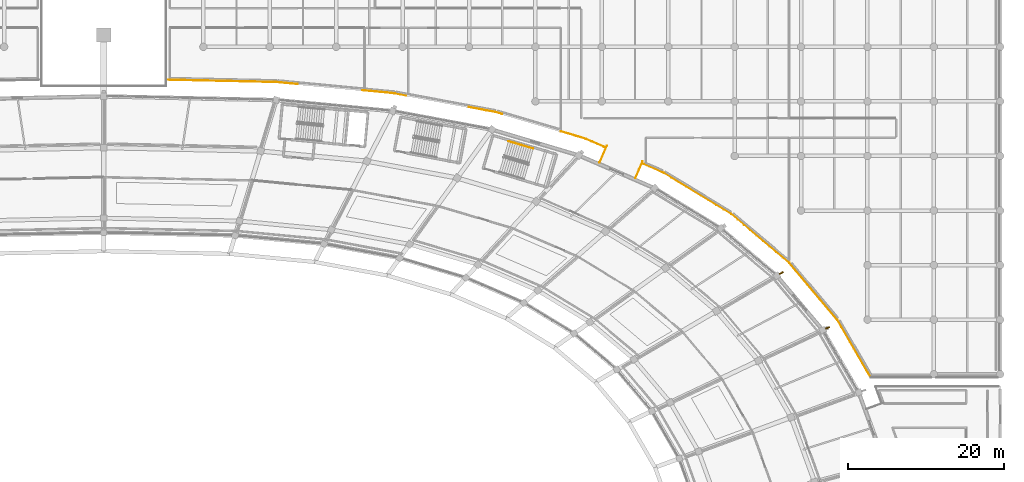
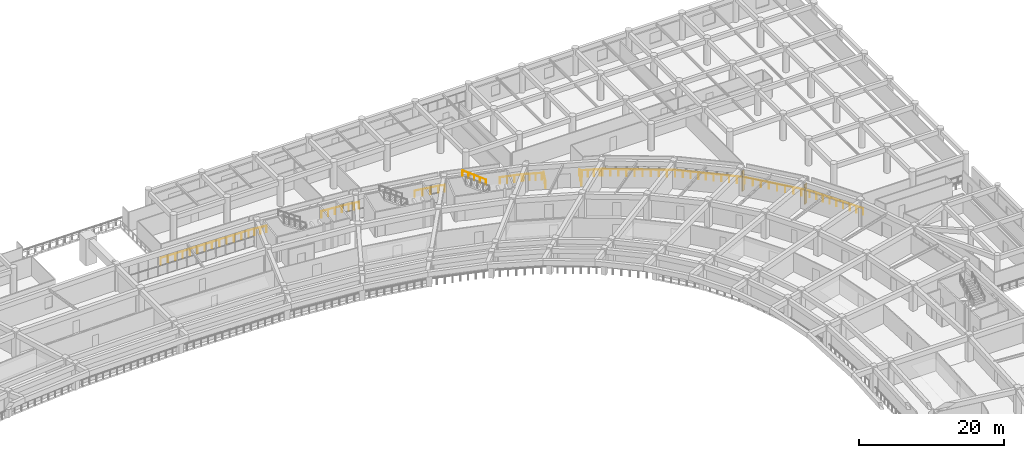
# One storey, part 144 of 145: 8 railings, 2 shading devices.
"""IFC4 building model written with IfcOpenShell, lengths in metres."""

from ifc_helpers import new_model, si_unit, direction, frame, origin, origin_2d, place, context, subcontext, project, spatial, rectangle, circle, extrude, material, type_object, element, save


model = new_model("IFC4")

# Units and contexts
model_context = context("Model", 3, precision=1e-05, world=origin(), true_north=direction((0.0, 1.0)))
body_context = subcontext(model_context, "Body", "Model", "MODEL_VIEW")
ifc_project = project(units=[si_unit("LENGTHUNIT", "METRE"), si_unit("AREAUNIT", "SQUARE_METRE"), si_unit("VOLUMEUNIT", "CUBIC_METRE"), si_unit("PLANEANGLEUNIT", "RADIAN"), si_unit("MASSUNIT", "GRAM", prefix="KILO")], contexts=[model_context])

# Site, building, storey
site_placement = place(None, origin())
site = spatial("IfcSite", under=ifc_project, at=site_placement, CompositionType="ELEMENT")
building_placement = place(site_placement, origin())
building = spatial("IfcBuilding", under=site, at=building_placement, Name="Mphavela Belvedere Stadium", CompositionType="ELEMENT")
storey_placement = place(building_placement, frame((0.0, 0.0, 10.199951171875)))
storey = spatial("IfcBuildingStorey", under=building, at=storey_placement, Name="L02", CompositionType="ELEMENT", Elevation=10.199951171875)

# Railings
ifc_material_1 = material(Name="Bronze and laminated glass stadium balustrade", Category="glass")
railing_type_1 = type_object("IfcRailingType", Name="RAL-BALUSTRADE-1120", PredefinedType="BALUSTRADE", material=ifc_material_1)
railing_1_placement = place(storey_placement, frame((183.190185546875, 150.165283203125, 0.0)))
element("IfcRailing", 1, at=railing_1_placement, inside=storey, type_object=railing_type_1, Name="Colonnade link bridge balustrade L02-08A", PredefinedType="BALUSTRADE", context=body_context, shape_type="SweptSolid", body=[
    extrude(circle(Radius=0.02392578125, at=origin_2d()), frame((0.0, 0.0, 1.09619140625), z_axis=(0.397802772945, 0.91747095531, 0.0), x_axis=(-0.91747095531, 0.397802772945, 0.0)), (0.0, 0.0, 1.0), 2.349853515625),
    extrude(circle(Radius=0.02099609375, at=origin_2d()), origin(), (0.0, 0.0, 1.0), 1.072021484375),
    extrude(circle(Radius=0.02099609375, at=origin_2d()), frame((0.46728515625, 1.078125, 0.0)), (0.0, 0.0, 1.0), 1.072021484375),
    extrude(circle(Radius=0.02099609375, at=origin_2d()), frame((0.934814453125, 2.156005859375, 0.0)), (0.0, 0.0, 1.0), 1.072021484375),
])
railing_2_placement = place(storey_placement, frame((178.602783203125, 152.15380859375, 0.0)))
element("IfcRailing", 2, at=railing_2_placement, inside=storey, type_object=railing_type_1, Name="Colonnade link bridge balustrade L02-08B", PredefinedType="BALUSTRADE", context=body_context, shape_type="SweptSolid", body=[
    extrude(circle(Radius=0.02392578125, at=origin_2d()), frame((0.0, 0.0, 1.09619140625), z_axis=(0.397677406785, 0.917525302176, 0.0), x_axis=(-0.917525302176, 0.397677406785, 0.0)), (0.0, 0.0, 1.0), 2.35009765625),
    extrude(circle(Radius=0.02099609375, at=origin_2d()), origin(), (0.0, 0.0, 1.0), 1.072021484375),
    extrude(circle(Radius=0.02099609375, at=origin_2d()), frame((0.46728515625, 1.078125, 0.0)), (0.0, 0.0, 1.0), 1.072021484375),
    extrude(circle(Radius=0.02099609375, at=origin_2d()), frame((0.9345703125, 2.15625, 0.0)), (0.0, 0.0, 1.0), 1.072021484375),
])
railing_3_placement = place(storey_placement, frame((213.392578125, 124.580078125, 0.0)))
element("IfcRailing", 3, at=railing_3_placement, inside=storey, type_object=railing_type_1, Name="Peristyle wing gallery edge balustrade L02-25", PredefinedType="BALUSTRADE", context=body_context, shape_type="SweptSolid", body=[
    extrude(circle(Radius=0.02392578125, at=origin_2d()), frame((0.0, 0.0, 1.09619140625), z_axis=(-0.501496666229, 0.86515957705, 0.0), x_axis=(-0.86515957705, -0.501496666229, 0.0)), (0.0, 0.0, 1.0), 8.548095703125),
    extrude(circle(Radius=0.02392578125, at=origin_2d()), frame((-4.286865234375, 7.3955078125, 1.09619140625), z_axis=(-0.645159914066, 0.764047567421, 0.0), x_axis=(-0.764047567421, -0.645159914066, 0.0)), (0.0, 0.0, 1.0), 9.544921875),
    extrude(circle(Radius=0.02392578125, at=origin_2d()), frame((-10.44482421875, 14.688232421875, 1.09619140625), z_axis=(-0.764212542959, 0.644964486761, 0.0), x_axis=(-0.644964486761, -0.764212542959, 0.0)), (0.0, 0.0, 1.0), 9.765869140625),
    extrude(circle(Radius=0.02392578125, at=origin_2d()), frame((-17.907958984375, 20.98681640625, 1.09619140625), z_axis=(-0.853987904956, 0.520292858099, 0.0), x_axis=(-0.520292858099, -0.853987904956, 0.0)), (0.0, 0.0, 1.0), 10.074462890625),
    extrude(circle(Radius=0.02392578125, at=origin_2d()), frame((-26.511474609375, 26.228515625, 1.09619140625), z_axis=(-0.887624752967, 0.460567365236, 0.0), x_axis=(-0.460567365236, -0.887624752967, 0.0)), (0.0, 0.0, 1.0), 0.313232421875),
    extrude(circle(Radius=0.02392578125, at=origin_2d()), frame((-26.78955078125, 26.372802734375, 1.09619140625), z_axis=(-0.917490104343, 0.397758605731, 0.0), x_axis=(-0.397758605731, -0.917490104343, 0.0)), (0.0, 0.0, 1.0), 2.5380859375),
    extrude(circle(Radius=0.02099609375, at=origin_2d()), origin(), (0.0, 0.0, 1.0), 1.072021484375),
    extrude(circle(Radius=0.02099609375, at=origin_2d()), frame((-0.535888671875, 0.92431640625, 0.0)), (0.0, 0.0, 1.0), 1.072021484375),
    extrude(circle(Radius=0.02099609375, at=origin_2d()), frame((-1.07177734375, 1.848876953125, 0.0)), (0.0, 0.0, 1.0), 1.072021484375),
    extrude(circle(Radius=0.02099609375, at=origin_2d()), frame((-1.607666015625, 2.7734375, 0.0)), (0.0, 0.0, 1.0), 1.072021484375),
    extrude(circle(Radius=0.02099609375, at=origin_2d()), frame((-2.1435546875, 3.69775390625, 0.0)), (0.0, 0.0, 1.0), 1.072021484375),
    extrude(circle(Radius=0.02099609375, at=origin_2d()), frame((-2.67919921875, 4.6220703125, 0.0)), (0.0, 0.0, 1.0), 1.072021484375),
    extrude(circle(Radius=0.02099609375, at=origin_2d()), frame((-3.215087890625, 5.546630859375, 0.0)), (0.0, 0.0, 1.0), 1.072021484375),
    extrude(circle(Radius=0.02099609375, at=origin_2d()), frame((-3.7509765625, 6.47119140625, 0.0)), (0.0, 0.0, 1.0), 1.072021484375),
    extrude(circle(Radius=0.02099609375, at=origin_2d()), frame((-4.286865234375, 7.3955078125, 0.0)), (0.0, 0.0, 1.0), 1.072021484375),
    extrude(circle(Radius=0.02099609375, at=origin_2d()), frame((-5.056640625, 8.30712890625, 0.0)), (0.0, 0.0, 1.0), 1.072021484375),
    extrude(circle(Radius=0.02099609375, at=origin_2d()), frame((-5.826416015625, 9.21875, 0.0)), (0.0, 0.0, 1.0), 1.072021484375),
    extrude(circle(Radius=0.02099609375, at=origin_2d()), frame((-6.59619140625, 10.13037109375, 0.0)), (0.0, 0.0, 1.0), 1.072021484375),
    extrude(circle(Radius=0.02099609375, at=origin_2d()), frame((-7.36572265625, 11.0419921875, 0.0)), (0.0, 0.0, 1.0), 1.072021484375),
    extrude(circle(Radius=0.02099609375, at=origin_2d()), frame((-8.135498046875, 11.953369140625, 0.0)), (0.0, 0.0, 1.0), 1.072021484375),
    extrude(circle(Radius=0.02099609375, at=origin_2d()), frame((-8.9052734375, 12.864990234375, 0.0)), (0.0, 0.0, 1.0), 1.072021484375),
    extrude(circle(Radius=0.02099609375, at=origin_2d()), frame((-9.675048828125, 13.776611328125, 0.0)), (0.0, 0.0, 1.0), 1.072021484375),
    extrude(circle(Radius=0.02099609375, at=origin_2d()), frame((-10.44482421875, 14.688232421875, 0.0)), (0.0, 0.0, 1.0), 1.072021484375),
    extrude(circle(Radius=0.02099609375, at=origin_2d()), frame((-11.274169921875, 15.38818359375, 0.0)), (0.0, 0.0, 1.0), 1.072021484375),
    extrude(circle(Radius=0.02099609375, at=origin_2d()), frame((-12.103271484375, 16.087890625, 0.0)), (0.0, 0.0, 1.0), 1.072021484375),
    extrude(circle(Radius=0.02099609375, at=origin_2d()), frame((-12.9326171875, 16.787841796875, 0.0)), (0.0, 0.0, 1.0), 1.072021484375),
    extrude(circle(Radius=0.02099609375, at=origin_2d()), frame((-13.76171875, 17.487548828125, 0.0)), (0.0, 0.0, 1.0), 1.072021484375),
    extrude(circle(Radius=0.02099609375, at=origin_2d()), frame((-14.591064453125, 18.1875, 0.0)), (0.0, 0.0, 1.0), 1.072021484375),
    extrude(circle(Radius=0.02099609375, at=origin_2d()), frame((-15.420166015625, 18.88720703125, 0.0)), (0.0, 0.0, 1.0), 1.072021484375),
    extrude(circle(Radius=0.02099609375, at=origin_2d()), frame((-16.24951171875, 19.587158203125, 0.0)), (0.0, 0.0, 1.0), 1.072021484375),
    extrude(circle(Radius=0.02099609375, at=origin_2d()), frame((-17.07861328125, 20.286865234375, 0.0)), (0.0, 0.0, 1.0), 1.072021484375),
    extrude(circle(Radius=0.02099609375, at=origin_2d()), frame((-17.907958984375, 20.98681640625, 0.0)), (0.0, 0.0, 1.0), 1.072021484375),
    extrude(circle(Radius=0.02099609375, at=origin_2d()), frame((-18.864013671875, 21.5693359375, 0.0)), (0.0, 0.0, 1.0), 1.072021484375),
    extrude(circle(Radius=0.02099609375, at=origin_2d()), frame((-19.81982421875, 22.151611328125, 0.0)), (0.0, 0.0, 1.0), 1.072021484375),
    extrude(circle(Radius=0.02099609375, at=origin_2d()), frame((-20.77587890625, 22.734130859375, 0.0)), (0.0, 0.0, 1.0), 1.072021484375),
    extrude(circle(Radius=0.02099609375, at=origin_2d()), frame((-21.731689453125, 23.31640625, 0.0)), (0.0, 0.0, 1.0), 1.072021484375),
    extrude(circle(Radius=0.02099609375, at=origin_2d()), frame((-22.687744140625, 23.89892578125, 0.0)), (0.0, 0.0, 1.0), 1.072021484375),
    extrude(circle(Radius=0.02099609375, at=origin_2d()), frame((-23.6435546875, 24.481201171875, 0.0)), (0.0, 0.0, 1.0), 1.072021484375),
    extrude(circle(Radius=0.02099609375, at=origin_2d()), frame((-24.599609375, 25.063720703125, 0.0)), (0.0, 0.0, 1.0), 1.072021484375),
    extrude(circle(Radius=0.02099609375, at=origin_2d()), frame((-25.555419921875, 25.64599609375, 0.0)), (0.0, 0.0, 1.0), 1.072021484375),
    extrude(circle(Radius=0.02099609375, at=origin_2d()), frame((-26.511474609375, 26.228515625, 0.0)), (0.0, 0.0, 1.0), 1.072021484375),
    extrude(circle(Radius=0.02099609375, at=origin_2d()), frame((-26.78955078125, 26.372802734375, 0.0)), (0.0, 0.0, 1.0), 1.072021484375),
    extrude(circle(Radius=0.02099609375, at=origin_2d()), frame((-27.565673828125, 26.709228515625, 0.0)), (0.0, 0.0, 1.0), 1.072021484375),
    extrude(circle(Radius=0.02099609375, at=origin_2d()), frame((-28.342041015625, 27.0458984375, 0.0)), (0.0, 0.0, 1.0), 1.072021484375),
    extrude(circle(Radius=0.02099609375, at=origin_2d()), frame((-29.1181640625, 27.38232421875, 0.0)), (0.0, 0.0, 1.0), 1.072021484375),
])
railing_4_placement = place(storey_placement, frame((179.173095703125, 154.173583984375, 0.0)))
element("IfcRailing", 4, at=railing_4_placement, inside=storey, type_object=railing_type_1, Name="Peristyle wing gallery edge balustrade L02-26", PredefinedType="BALUSTRADE", context=body_context, shape_type="SweptSolid", body=[
    extrude(circle(Radius=0.02392578125, at=origin_2d()), frame((0.0, 0.0, 1.09619140625), z_axis=(-0.917490104343, 0.397758605731, 0.0), x_axis=(-0.397758605731, -0.917490104343, 0.0)), (0.0, 0.0, 1.0), 2.5380859375),
    extrude(circle(Radius=0.02392578125, at=origin_2d()), frame((-2.32861328125, 1.009521484375, 1.09619140625), z_axis=(-0.939740596708, 0.341888301786, 0.0), x_axis=(-0.341888301786, -0.939740596708, 0.0)), (0.0, 0.0, 1.0), 0.27001953125),
    extrude(circle(Radius=0.02392578125, at=origin_2d()), frame((-2.582275390625, 1.101806640625, 1.09619140625), z_axis=(-0.958628081437, 0.284661556028, 0.0), x_axis=(-0.284661556028, -0.958628081437, 0.0)), (0.0, 0.0, 1.0), 3.10302734375),
    extrude(circle(Radius=0.02099609375, at=origin_2d()), origin(), (0.0, 0.0, 1.0), 1.072021484375),
    extrude(circle(Radius=0.02099609375, at=origin_2d()), frame((-0.776123046875, 0.33642578125, 0.0)), (0.0, 0.0, 1.0), 1.072021484375),
    extrude(circle(Radius=0.02099609375, at=origin_2d()), frame((-1.552490234375, 0.673095703125, 0.0)), (0.0, 0.0, 1.0), 1.072021484375),
    extrude(circle(Radius=0.02099609375, at=origin_2d()), frame((-2.32861328125, 1.009521484375, 0.0)), (0.0, 0.0, 1.0), 1.072021484375),
    extrude(circle(Radius=0.02099609375, at=origin_2d()), frame((-2.582275390625, 1.101806640625, 0.0)), (0.0, 0.0, 1.0), 1.072021484375),
    extrude(circle(Radius=0.02099609375, at=origin_2d()), frame((-3.57373046875, 1.396240234375, 0.0)), (0.0, 0.0, 1.0), 1.072021484375),
    extrude(circle(Radius=0.02099609375, at=origin_2d()), frame((-4.5654296875, 1.690673828125, 0.0)), (0.0, 0.0, 1.0), 1.072021484375),
    extrude(circle(Radius=0.02099609375, at=origin_2d()), frame((-5.556884765625, 1.985107421875, 0.0)), (0.0, 0.0, 1.0), 1.072021484375),
])
railing_5_placement = place(storey_placement, frame((166.094970703125, 158.39111328125, 0.0)))
element("IfcRailing", 5, at=railing_5_placement, inside=storey, type_object=railing_type_1, Name="Peristyle wing gallery edge balustrade L02-27", PredefinedType="BALUSTRADE", context=body_context, shape_type="SweptSolid", body=[
    extrude(circle(Radius=0.02392578125, at=origin_2d()), frame((0.0, 0.0, 1.09619140625), z_axis=(-0.96248917912, 0.271320069434, 0.0), x_axis=(-0.271320069434, -0.96248917912, 0.0)), (0.0, 0.0, 1.0), 0.91064453125),
    extrude(circle(Radius=0.02392578125, at=origin_2d()), frame((-0.87646484375, 0.2470703125, 1.09619140625), z_axis=(-0.983089595219, 0.183125224291, 0.0), x_axis=(-0.183125224291, -0.983089595219, 0.0)), (0.0, 0.0, 1.0), 3.459716796875),
    extrude(circle(Radius=0.02099609375, at=origin_2d()), origin(), (0.0, 0.0, 1.0), 1.072021484375),
    extrude(circle(Radius=0.02099609375, at=origin_2d()), frame((-0.87646484375, 0.2470703125, 0.0)), (0.0, 0.0, 1.0), 1.072021484375),
    extrude(circle(Radius=0.02099609375, at=origin_2d()), frame((-2.01025390625, 0.458251953125, 0.0)), (0.0, 0.0, 1.0), 1.072021484375),
    extrude(circle(Radius=0.02099609375, at=origin_2d()), frame((-3.143798828125, 0.66943359375, 0.0)), (0.0, 0.0, 1.0), 1.072021484375),
    extrude(circle(Radius=0.02099609375, at=origin_2d()), frame((-4.277587890625, 0.880615234375, 0.0)), (0.0, 0.0, 1.0), 1.072021484375),
])
railing_6_placement = place(storey_placement, frame((153.787109375, 160.767333984375, 0.0)))
element("IfcRailing", 6, at=railing_6_placement, inside=storey, type_object=railing_type_1, Name="Peristyle wing gallery edge balustrade L02-28", PredefinedType="BALUSTRADE", context=body_context, shape_type="SweptSolid", body=[
    extrude(circle(Radius=0.02392578125, at=origin_2d()), frame((0.0, 0.0, 1.09619140625), z_axis=(-0.984163739647, 0.177261765658, 0.0), x_axis=(-0.177261765658, -0.984163739647, 0.0)), (0.0, 0.0, 1.0), 1.52197265625),
    extrude(circle(Radius=0.02392578125, at=origin_2d()), frame((-1.497802734375, 0.269775390625, 1.09619140625), z_axis=(-0.995482726016, 0.094942836503, 0.0), x_axis=(-0.094942836503, -0.995482726016, 0.0)), (0.0, 0.0, 1.0), 4.135009765625),
    extrude(circle(Radius=0.02099609375, at=origin_2d()), origin(), (0.0, 0.0, 1.0), 1.072021484375),
    extrude(circle(Radius=0.02099609375, at=origin_2d()), frame((-0.7490234375, 0.134765625, 0.0)), (0.0, 0.0, 1.0), 1.072021484375),
    extrude(circle(Radius=0.02099609375, at=origin_2d()), frame((-1.497802734375, 0.269775390625, 0.0)), (0.0, 0.0, 1.0), 1.072021484375),
    extrude(circle(Radius=0.02099609375, at=origin_2d()), frame((-2.52685546875, 0.367919921875, 0.0)), (0.0, 0.0, 1.0), 1.072021484375),
    extrude(circle(Radius=0.02099609375, at=origin_2d()), frame((-3.555908203125, 0.466064453125, 0.0)), (0.0, 0.0, 1.0), 1.072021484375),
    extrude(circle(Radius=0.02099609375, at=origin_2d()), frame((-4.5849609375, 0.564208984375, 0.0)), (0.0, 0.0, 1.0), 1.072021484375),
    extrude(circle(Radius=0.02099609375, at=origin_2d()), frame((-5.614013671875, 0.662353515625, 0.0)), (0.0, 0.0, 1.0), 1.072021484375),
])
railing_7_placement = place(storey_placement, frame((139.838134765625, 162.224609375, 0.0)))
element("IfcRailing", 7, at=railing_7_placement, inside=storey, type_object=railing_type_1, Name="Peristyle wing gallery edge balustrade L02-29", PredefinedType="BALUSTRADE", context=body_context, shape_type="SweptSolid", body=[
    extrude(circle(Radius=0.02392578125, at=origin_2d()), frame((0.0, 0.0, 1.09619140625), z_axis=(-0.995701021034, 0.09262546471, 0.0), x_axis=(-0.09262546471, -0.995701021034, 0.0)), (0.0, 0.0, 1.0), 2.685791015625),
    extrude(circle(Radius=0.02392578125, at=origin_2d()), frame((-2.67431640625, 0.248779296875, 1.09619140625), z_axis=(-0.999768449316, 0.021518544383, 0.0), x_axis=(-0.021518544383, -0.999768449316, 0.0)), (0.0, 0.0, 1.0), 13.886962890625),
    extrude(circle(Radius=0.02099609375, at=origin_2d()), origin(), (0.0, 0.0, 1.0), 1.072021484375),
    extrude(circle(Radius=0.02099609375, at=origin_2d()), frame((-0.891357421875, 0.0830078125, 0.0)), (0.0, 0.0, 1.0), 1.072021484375),
    extrude(circle(Radius=0.02099609375, at=origin_2d()), frame((-1.782958984375, 0.165771484375, 0.0)), (0.0, 0.0, 1.0), 1.072021484375),
    extrude(circle(Radius=0.02099609375, at=origin_2d()), frame((-2.67431640625, 0.248779296875, 0.0)), (0.0, 0.0, 1.0), 1.072021484375),
    extrude(circle(Radius=0.02099609375, at=origin_2d()), frame((-3.831298828125, 0.273681640625, 0.0)), (0.0, 0.0, 1.0), 1.072021484375),
    extrude(circle(Radius=0.02099609375, at=origin_2d()), frame((-4.98828125, 0.298583984375, 0.0)), (0.0, 0.0, 1.0), 1.072021484375),
    extrude(circle(Radius=0.02099609375, at=origin_2d()), frame((-6.145263671875, 0.323486328125, 0.0)), (0.0, 0.0, 1.0), 1.072021484375),
    extrude(circle(Radius=0.02099609375, at=origin_2d()), frame((-7.30224609375, 0.348388671875, 0.0)), (0.0, 0.0, 1.0), 1.072021484375),
    extrude(circle(Radius=0.02099609375, at=origin_2d()), frame((-8.459228515625, 0.373291015625, 0.0)), (0.0, 0.0, 1.0), 1.072021484375),
    extrude(circle(Radius=0.02099609375, at=origin_2d()), frame((-9.6162109375, 0.398193359375, 0.0)), (0.0, 0.0, 1.0), 1.072021484375),
    extrude(circle(Radius=0.02099609375, at=origin_2d()), frame((-10.773193359375, 0.423095703125, 0.0)), (0.0, 0.0, 1.0), 1.072021484375),
    extrude(circle(Radius=0.02099609375, at=origin_2d()), frame((-11.93017578125, 0.447998046875, 0.0)), (0.0, 0.0, 1.0), 1.072021484375),
    extrude(circle(Radius=0.02099609375, at=origin_2d()), frame((-13.087158203125, 0.472900390625, 0.0)), (0.0, 0.0, 1.0), 1.072021484375),
    extrude(circle(Radius=0.02099609375, at=origin_2d()), frame((-14.244140625, 0.497802734375, 0.0)), (0.0, 0.0, 1.0), 1.072021484375),
    extrude(circle(Radius=0.02099609375, at=origin_2d()), frame((-15.401123046875, 0.522705078125, 0.0)), (0.0, 0.0, 1.0), 1.072021484375),
    extrude(circle(Radius=0.02099609375, at=origin_2d()), frame((-16.55810546875, 0.547607421875, 0.0)), (0.0, 0.0, 1.0), 1.072021484375),
])
ifc_material_2 = material(Name="Brushed stainless steel tubular handrail", Category="steel")
railing_type_2 = type_object("IfcRailingType", Name="RAL-HANDRAIL-900", PredefinedType="HANDRAIL", material=ifc_material_2)
railing_8_placement = place(storey_placement, frame((170.09912109375, 153.939208984375, 2.4375)))
element("IfcRailing", 8, at=railing_8_placement, inside=storey, type_object=railing_type_2, Name="L02 ST-P01 stair handrail 2", PredefinedType="HANDRAIL", context=body_context, shape_type="SweptSolid", body=[
    extrude(circle(Radius=0.02392578125, at=origin_2d()), frame((0.0, 0.0, 0.8759765625), z_axis=(-0.814477182491, 0.241689626173, 0.527459044667), x_axis=(-0.284481150233, -0.958681633892, 0.0)), (0.0, 0.0, 1.0), 3.91015625),
    extrude(circle(Radius=0.02099609375, at=origin_2d()), origin(), (0.0, 0.0, 1.0), 0.851806640625),
    extrude(circle(Radius=0.02099609375, at=origin_2d()), frame((-0.796142578125, 0.236328125, 0.515625)), (0.0, 0.0, 1.0), 0.851806640625),
    extrude(circle(Radius=0.02099609375, at=origin_2d()), frame((-1.59228515625, 0.47265625, 1.03125)), (0.0, 0.0, 1.0), 0.851806640625),
    extrude(circle(Radius=0.02099609375, at=origin_2d()), frame((-2.388671875, 0.708740234375, 1.546875)), (0.0, 0.0, 1.0), 0.851806640625),
    extrude(circle(Radius=0.02099609375, at=origin_2d()), frame((-3.184814453125, 0.945068359375, 2.0625)), (0.0, 0.0, 1.0), 0.851806640625),
])

# Shading devices
ifc_material_3 = material(Name="Honed limestone and bronze vertical brise-soleil fin", Category="masonry")
shading_device_type = type_object("IfcShadingDeviceType", Name="SHD-SOLAR-FIN", PredefinedType="USERDEFINED", material=ifc_material_3)
for number, where, z_axis, x_axis, name in (
    (9, (207.850830078125, 130.949462890625, 0.0), (0.0, 0.0, 1.0), (0.903858661687, 0.4278311813, 0.0), "Classical vertical solar brise-soleil fin L02-05"),
    (10, (201.918701171875, 137.994140625, 0.0), (0.0, 0.0, 1.0), (0.862513669207, 0.506033764121, 0.0), "Classical vertical solar brise-soleil fin L02-06"),
):
    element("IfcShadingDevice", number, at=place(storey_placement, frame(where, z_axis=z_axis, x_axis=x_axis)), inside=storey, type_object=shading_device_type, Name=name, ObjectType="SOLAR FIN", PredefinedType="USERDEFINED", context=body_context, shape_type="SweptSolid", body=[
        extrude(rectangle(XDim=0.550048828125, YDim=0.179931640625, at=origin_2d()), origin(), (0.0, 0.0, 1.0), 3.320068359375),
    ])

save(model, "model.ifc")
